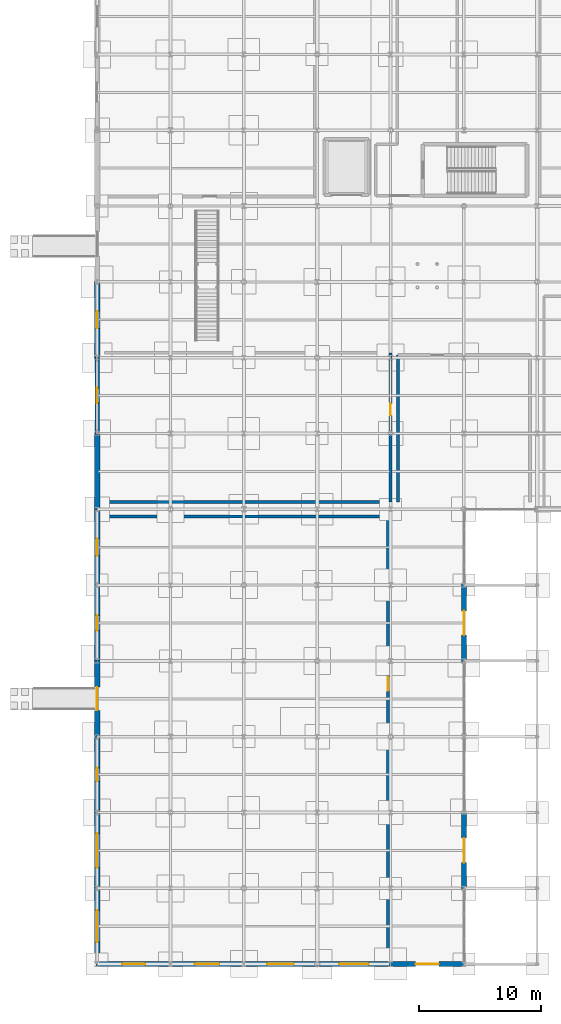
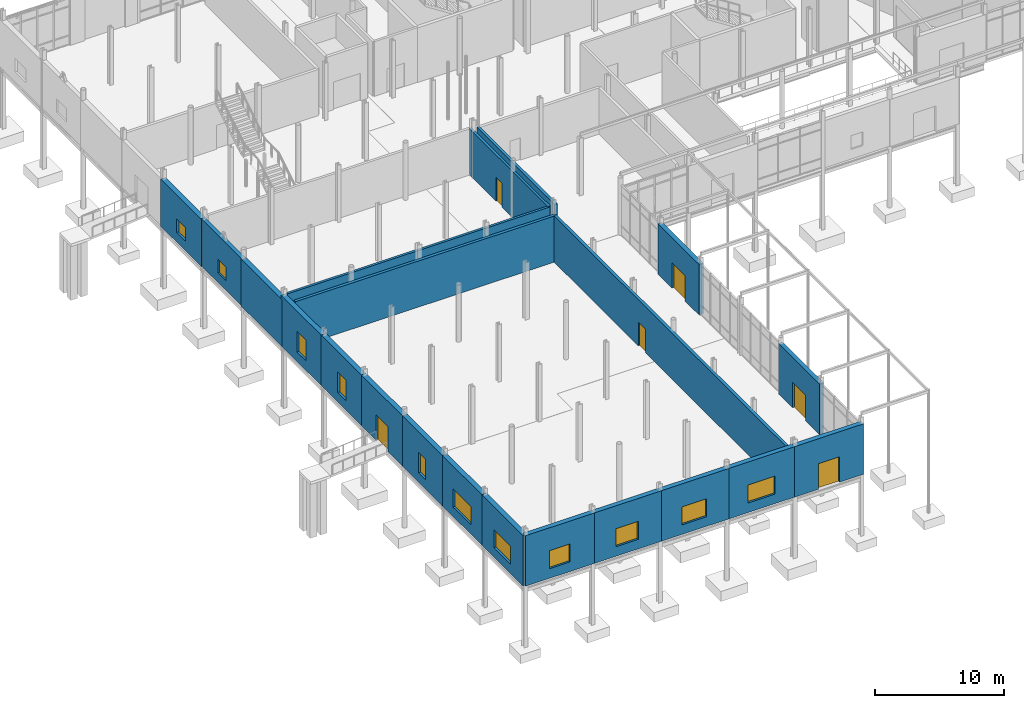
# One storey, part 67 of 98: 21 walls, 11 windows, 6 doors, 17 openings.
"""IFC4 building model written with IfcOpenShell, lengths in metres."""

from ifc_helpers import new_model, si_unit, direction, frame, frame_2d, origin, place, context, subcontext, project, spatial, rectangle, extrude, material, layer, layer_set, type_object, element, fill, save


model = new_model("IFC4")

# Units and contexts
model_context = context("Model", 3, precision=1e-05, world=origin(), true_north=direction((0.0, 1.0)))
body_context = subcontext(model_context, "Body", "Model", "MODEL_VIEW")
ifc_project = project(units=[si_unit("LENGTHUNIT", "METRE"), si_unit("AREAUNIT", "SQUARE_METRE"), si_unit("VOLUMEUNIT", "CUBIC_METRE"), si_unit("PLANEANGLEUNIT", "RADIAN"), si_unit("MASSUNIT", "GRAM", prefix="KILO")], contexts=[model_context])

# Site, building, storey
site_placement = place(None, origin())
site = spatial("IfcSite", under=ifc_project, at=site_placement, CompositionType="ELEMENT")
building_placement = place(site_placement, origin())
building = spatial("IfcBuilding", under=site, at=building_placement, Name="Mirzam Square Science Centre", CompositionType="ELEMENT")
storey_placement = place(building_placement, origin())
storey = spatial("IfcBuildingStorey", under=building, at=storey_placement, Name="L00", CompositionType="ELEMENT", Elevation=0.0)

# Wall, opening, door
ifc_material_1 = material(Name="Insulated Sand-Toned GFRC Concrete C40/50", Category="concrete")
ifc_layer_1 = layer(ifc_material_1, 0.385009765625)
ifc_layer_set_1 = layer_set([ifc_layer_1], Name="W-EXT-GFRC-385")
wall_type_1 = type_object("IfcWallType", Name="W-EXT-GFRC-385", PredefinedType="SOLIDWALL", material=ifc_layer_set_1)
wall_1_placement = place(storey_placement, frame((30.0, 6.125, 0.0), z_axis=(0.0, 0.0, 1.0), x_axis=(0.0, 1.0, 0.0)))
wall_1 = element("IfcWall", 1, at=wall_1_placement, inside=storey, type_object=wall_type_1, Name="L00 external wall EW-SW-E-L00-02", PredefinedType="SOLIDWALL", context=body_context, shape_type="SweptSolid", body=[
    extrude(rectangle(XDim=6.35009765625, YDim=0.385009765625, at=frame_2d((3.175048828125, 0.0))), origin(), (0.0, 0.0, 1.0), 4.760009765625),
])
opening_1_placement = place(wall_1_placement, frame((2.175048828125, 0.0, 0.0)))
opening_1 = element("IfcOpeningElement", 2, at=opening_1_placement, cuts=wall_1, Name="Opening ED-01", PredefinedType="OPENING", context=body_context, shape_type="SweptSolid", body=[
    extrude(rectangle(XDim=2.0, YDim=2.39990234375, at=frame_2d((1.0, 1.199951171875))), frame((0.0, 0.202392578125, 0.0), z_axis=(0.0, -1.0, 0.0), x_axis=(1.0, 0.0, 0.0)), (0.0, 0.0, 1.0), 0.405029296875),
])
ifc_material_2 = material(Name="Thermally Broken Bronze-Anodised Aluminium and Laminated Glass", Category="aluminium")
door_type_1 = type_object("IfcDoorType", Name="DR-EXT-2000x2400", OperationType="DOUBLE_DOOR_SINGLE_SWING", PredefinedType="DOOR", material=ifc_material_2)
door_1_placement = place(opening_1_placement, frame((2.0, 0.0, 0.0), z_axis=(0.0, 0.0, 1.0), x_axis=(-1.0, 0.0, 0.0)))
door_1 = element("IfcDoor", 3, at=door_1_placement, inside=storey, type_object=door_type_1, Name="ED-L00-009", OperationType="DOUBLE_DOOR_SINGLE_SWING", OverallHeight=2.39990234375, OverallWidth=2.0, PredefinedType="DOOR", context=body_context, shape_type="SweptSolid", body=[
    extrude(rectangle(XDim=2.0, YDim=2.39990234375, at=frame_2d((1.0, 1.199951171875))), frame((0.0, 0.02490234375, 0.0), z_axis=(0.0, -1.0, 0.0), x_axis=(1.0, 0.0, 0.0)), (0.0, 0.0, 1.0), 0.050048828125),
])
fill(opening_1, door_1)

wall_2_placement = place(storey_placement, frame((30.0, 24.72509765625, 0.0), z_axis=(0.0, 0.0, 1.0), x_axis=(0.0, 1.0, 0.0)))
wall_2 = element("IfcWall", 4, at=wall_2_placement, inside=storey, type_object=wall_type_1, Name="L00 external wall EW-SW-E-L00-05", PredefinedType="SOLIDWALL", context=body_context, shape_type="SweptSolid", body=[
    extrude(rectangle(XDim=6.349853515625, YDim=0.385009765625, at=frame_2d((3.1748046875, 0.0))), origin(), (0.0, 0.0, 1.0), 4.760009765625),
])
opening_2_placement = place(wall_2_placement, frame((2.175048828125, 0.0, 0.0)))
opening_2 = element("IfcOpeningElement", 5, at=opening_2_placement, cuts=wall_2, Name="Opening ED-01", PredefinedType="OPENING", context=body_context, shape_type="SweptSolid", body=[
    extrude(rectangle(XDim=2.0, YDim=2.39990234375, at=frame_2d((1.0, 1.199951171875))), frame((0.0, 0.202392578125, 0.0), z_axis=(0.0, -1.0, 0.0), x_axis=(1.0, 0.0, 0.0)), (0.0, 0.0, 1.0), 0.405029296875),
])
door_2_placement = place(opening_2_placement, frame((2.0, 0.0, 0.0), z_axis=(0.0, 0.0, 1.0), x_axis=(-1.0, 0.0, 0.0)))
door_2 = element("IfcDoor", 6, at=door_2_placement, inside=storey, type_object=door_type_1, Name="ED-L00-010", OperationType="DOUBLE_DOOR_SINGLE_SWING", OverallHeight=2.39990234375, OverallWidth=2.0, PredefinedType="DOOR", context=body_context, shape_type="SweptSolid", body=[
    extrude(rectangle(XDim=2.0, YDim=2.39990234375, at=frame_2d((1.0, 1.199951171875))), frame((0.0, 0.02490234375, 0.0), z_axis=(0.0, -1.0, 0.0), x_axis=(1.0, 0.0, 0.0)), (0.0, 0.0, 1.0), 0.050048828125),
])
fill(opening_2, door_2)

# Wall, opening, window
ifc_material_3 = material(Name="Honed Qatari Limestone Concrete C40/50", Category="masonry")
ifc_layer_2 = layer(ifc_material_3, 0.419921875)
ifc_layer_set_2 = layer_set([ifc_layer_2], Name="W-EXT-LIME-420")
wall_type_2 = type_object("IfcWallType", Name="W-EXT-LIME-420", PredefinedType="SOLIDWALL", material=ifc_layer_set_2)
wall_3_placement = place(storey_placement, frame((-0.074951171875, 0.0, 0.0), z_axis=(0.0, 0.0, 1.0), x_axis=(1.0, 0.0, 0.0)))
wall_3 = element("IfcWall", 7, at=wall_3_placement, inside=storey, type_object=wall_type_2, Name="L00 external wall EW-SW-S-L00-01", PredefinedType="SOLIDWALL", context=body_context, shape_type="SweptSolid", body=[
    extrude(rectangle(XDim=6.14990234375, YDim=0.419921875, at=frame_2d((3.074951171875, 0.0))), origin(), (0.0, 0.0, 1.0), 4.760009765625),
])
opening_3_placement = place(wall_3_placement, frame((2.14990234375, 0.0, 0.89990234375)))
opening_3 = element("IfcOpeningElement", 8, at=opening_3_placement, cuts=wall_3, Name="Opening W-28", PredefinedType="OPENING", context=body_context, shape_type="SweptSolid", body=[
    extrude(rectangle(XDim=1.85009765625, YDim=1.699951171875, at=frame_2d((0.925048828125, 0.85009765625))), frame((0.0, 0.219970703125, 0.0), z_axis=(0.0, -1.0, 0.0), x_axis=(1.0, 0.0, 0.0)), (0.0, 0.0, 1.0), 0.43994140625),
])
ifc_material_4 = material(Name="Thermally Broken Bronze Aluminium and Low-E Glass", Category="aluminium")
window_type_1 = type_object("IfcWindowType", Name="WIN-1850x1700", PartitioningType="DOUBLE_PANEL_VERTICAL", PredefinedType="WINDOW", material=ifc_material_4)
window_1_placement = place(opening_3_placement, origin())
window_1 = element("IfcWindow", 9, at=window_1_placement, inside=storey, type_object=window_type_1, Name="L00 solar window 028", OverallHeight=1.699951171875, OverallWidth=1.85009765625, PartitioningType="DOUBLE_PANEL_VERTICAL", PredefinedType="WINDOW", context=body_context, shape_type="SweptSolid", body=[
    extrude(rectangle(XDim=1.85009765625, YDim=1.699951171875, at=frame_2d((0.925048828125, 0.85009765625))), frame((0.0, 0.030029296875, 0.0), z_axis=(0.0, -1.0, 0.0), x_axis=(1.0, 0.0, 0.0)), (0.0, 0.0, 1.0), 0.06005859375),
])
fill(opening_3, window_1)

wall_4_placement = place(storey_placement, frame((5.925048828125, 0.0, 0.0), z_axis=(0.0, 0.0, 1.0), x_axis=(1.0, 0.0, 0.0)))
wall_4 = element("IfcWall", 10, at=wall_4_placement, inside=storey, type_object=wall_type_2, Name="L00 external wall EW-SW-S-L00-02", PredefinedType="SOLIDWALL", context=body_context, shape_type="SweptSolid", body=[
    extrude(rectangle(XDim=6.14990234375, YDim=0.419921875, at=frame_2d((3.074951171875, 0.0))), origin(), (0.0, 0.0, 1.0), 4.760009765625),
])
opening_4_placement = place(wall_4_placement, frame((2.074951171875, 0.0, 0.89990234375)))
opening_4 = element("IfcOpeningElement", 11, at=opening_4_placement, cuts=wall_4, Name="Opening W-29", PredefinedType="OPENING", context=body_context, shape_type="SweptSolid", body=[
    extrude(rectangle(XDim=2.0, YDim=1.699951171875, at=frame_2d((1.0, 0.85009765625))), frame((0.0, 0.219970703125, 0.0), z_axis=(0.0, -1.0, 0.0), x_axis=(1.0, 0.0, 0.0)), (0.0, 0.0, 1.0), 0.43994140625),
])
window_type_2 = type_object("IfcWindowType", Name="WIN-2000x1700", PartitioningType="DOUBLE_PANEL_VERTICAL", PredefinedType="WINDOW", material=ifc_material_4)
window_2_placement = place(opening_4_placement, origin())
window_2 = element("IfcWindow", 12, at=window_2_placement, inside=storey, type_object=window_type_2, Name="L00 solar window 029", OverallHeight=1.699951171875, OverallWidth=2.0, PartitioningType="DOUBLE_PANEL_VERTICAL", PredefinedType="WINDOW", context=body_context, shape_type="SweptSolid", body=[
    extrude(rectangle(XDim=2.0, YDim=1.699951171875, at=frame_2d((1.0, 0.85009765625))), frame((0.0, 0.030029296875, 0.0), z_axis=(0.0, -1.0, 0.0), x_axis=(1.0, 0.0, 0.0)), (0.0, 0.0, 1.0), 0.06005859375),
])
fill(opening_4, window_2)

wall_5_placement = place(storey_placement, frame((11.925048828125, 0.0, 0.0), z_axis=(0.0, 0.0, 1.0), x_axis=(1.0, 0.0, 0.0)))
wall_5 = element("IfcWall", 13, at=wall_5_placement, inside=storey, type_object=wall_type_2, Name="L00 external wall EW-SW-S-L00-03", PredefinedType="SOLIDWALL", context=body_context, shape_type="SweptSolid", body=[
    extrude(rectangle(XDim=6.14990234375, YDim=0.419921875, at=frame_2d((3.074951171875, 0.0))), origin(), (0.0, 0.0, 1.0), 4.760009765625),
])
opening_5_placement = place(wall_5_placement, frame((1.97509765625, 0.0, 0.89990234375)))
opening_5 = element("IfcOpeningElement", 14, at=opening_5_placement, cuts=wall_5, Name="Opening W-30", PredefinedType="OPENING", context=body_context, shape_type="SweptSolid", body=[
    extrude(rectangle(XDim=2.199951171875, YDim=1.699951171875, at=frame_2d((1.10009765625, 0.85009765625))), frame((0.0, 0.219970703125, 0.0), z_axis=(0.0, -1.0, 0.0), x_axis=(1.0, 0.0, 0.0)), (0.0, 0.0, 1.0), 0.43994140625),
])
window_type_3 = type_object("IfcWindowType", Name="WIN-2200x1700", PartitioningType="DOUBLE_PANEL_VERTICAL", PredefinedType="WINDOW", material=ifc_material_4)
window_3_placement = place(opening_5_placement, origin())
window_3 = element("IfcWindow", 15, at=window_3_placement, inside=storey, type_object=window_type_3, Name="L00 solar window 030", OverallHeight=1.699951171875, OverallWidth=2.199951171875, PartitioningType="DOUBLE_PANEL_VERTICAL", PredefinedType="WINDOW", context=body_context, shape_type="SweptSolid", body=[
    extrude(rectangle(XDim=2.199951171875, YDim=1.699951171875, at=frame_2d((1.10009765625, 0.85009765625))), frame((0.0, 0.030029296875, 0.0), z_axis=(0.0, -1.0, 0.0), x_axis=(1.0, 0.0, 0.0)), (0.0, 0.0, 1.0), 0.06005859375),
])
fill(opening_5, window_3)

wall_6_placement = place(storey_placement, frame((17.925048828125, 0.0, 0.0), z_axis=(0.0, 0.0, 1.0), x_axis=(1.0, 0.0, 0.0)))
wall_6 = element("IfcWall", 16, at=wall_6_placement, inside=storey, type_object=wall_type_2, Name="L00 external wall EW-SW-S-L00-04", PredefinedType="SOLIDWALL", context=body_context, shape_type="SweptSolid", body=[
    extrude(rectangle(XDim=6.14990234375, YDim=0.419921875, at=frame_2d((3.074951171875, 0.0))), origin(), (0.0, 0.0, 1.0), 4.760009765625),
])
opening_6_placement = place(wall_6_placement, frame((1.875, 0.0, 0.89990234375)))
opening_6 = element("IfcOpeningElement", 17, at=opening_6_placement, cuts=wall_6, Name="Opening W-31", PredefinedType="OPENING", context=body_context, shape_type="SweptSolid", body=[
    extrude(rectangle(XDim=2.39990234375, YDim=1.699951171875, at=frame_2d((1.199951171875, 0.85009765625))), frame((0.0, 0.219970703125, 0.0), z_axis=(0.0, -1.0, 0.0), x_axis=(1.0, 0.0, 0.0)), (0.0, 0.0, 1.0), 0.43994140625),
])
window_type_4 = type_object("IfcWindowType", Name="WIN-2400x1700", PartitioningType="DOUBLE_PANEL_VERTICAL", PredefinedType="WINDOW", material=ifc_material_4)
window_4_placement = place(opening_6_placement, origin())
window_4 = element("IfcWindow", 18, at=window_4_placement, inside=storey, type_object=window_type_4, Name="L00 solar window 031", OverallHeight=1.699951171875, OverallWidth=2.39990234375, PartitioningType="DOUBLE_PANEL_VERTICAL", PredefinedType="WINDOW", context=body_context, shape_type="SweptSolid", body=[
    extrude(rectangle(XDim=2.39990234375, YDim=1.699951171875, at=frame_2d((1.199951171875, 0.85009765625))), frame((0.0, 0.030029296875, 0.0), z_axis=(0.0, -1.0, 0.0), x_axis=(1.0, 0.0, 0.0)), (0.0, 0.0, 1.0), 0.06005859375),
])
fill(opening_6, window_4)

# Wall, opening, door
wall_7_placement = place(storey_placement, frame((23.925048828125, 0.0, 0.0), z_axis=(0.0, 0.0, 1.0), x_axis=(1.0, 0.0, 0.0)))
wall_7 = element("IfcWall", 19, at=wall_7_placement, inside=storey, type_object=wall_type_2, Name="L00 external wall EW-SW-S-L00-05", PredefinedType="SOLIDWALL", context=body_context, shape_type="SweptSolid", body=[
    extrude(rectangle(XDim=6.14990234375, YDim=0.419921875, at=frame_2d((3.074951171875, 0.0))), origin(), (0.0, 0.0, 1.0), 4.760009765625),
])
opening_7_placement = place(wall_7_placement, frame((2.125, 0.0, 0.0)))
opening_7 = element("IfcOpeningElement", 20, at=opening_7_placement, cuts=wall_7, Name="Opening ED-02", PredefinedType="OPENING", context=body_context, shape_type="SweptSolid", body=[
    extrude(rectangle(XDim=1.89990234375, YDim=2.39990234375, at=frame_2d((0.949951171875, 1.199951171875))), frame((0.0, 0.219970703125, 0.0), z_axis=(0.0, -1.0, 0.0), x_axis=(1.0, 0.0, 0.0)), (0.0, 0.0, 1.0), 0.43994140625),
])
door_type_2 = type_object("IfcDoorType", Name="DR-EXT-1900x2400", OperationType="DOUBLE_DOOR_SINGLE_SWING", PredefinedType="DOOR", material=ifc_material_2)
door_3_placement = place(opening_7_placement, frame((1.89990234375, 0.0, 0.0), z_axis=(0.0, 0.0, 1.0), x_axis=(-1.0, 0.0, 0.0)))
door_3 = element("IfcDoor", 21, at=door_3_placement, inside=storey, type_object=door_type_2, Name="ED-L00-007", OperationType="DOUBLE_DOOR_SINGLE_SWING", OverallHeight=2.39990234375, OverallWidth=1.89990234375, PredefinedType="DOOR", context=body_context, shape_type="SweptSolid", body=[
    extrude(rectangle(XDim=1.89990234375, YDim=2.39990234375, at=frame_2d((0.949951171875, 1.199951171875))), frame((0.0, 0.02490234375, 0.0), z_axis=(0.0, -1.0, 0.0), x_axis=(1.0, 0.0, 0.0)), (0.0, 0.0, 1.0), 0.050048828125),
])
fill(opening_7, door_3)

# Wall, opening, window
ifc_layer_3 = layer(ifc_material_3, 0.43505859375)
ifc_layer_set_3 = layer_set([ifc_layer_3], Name="W-EXT-LIME-435")
wall_type_3 = type_object("IfcWallType", Name="W-EXT-LIME-435", PredefinedType="SOLIDWALL", material=ifc_layer_set_3)
wall_8_placement = place(storey_placement, frame((0.0, 6.27490234375, 0.0), z_axis=(0.0, 0.0, 1.0), x_axis=(0.0, -1.0, 0.0)))
wall_8 = element("IfcWall", 22, at=wall_8_placement, inside=storey, type_object=wall_type_3, Name="L00 external wall EW-SW-W-L00-01", PredefinedType="SOLIDWALL", context=body_context, shape_type="SweptSolid", body=[
    extrude(rectangle(XDim=6.349853515625, YDim=0.43505859375, at=frame_2d((3.1748046875, 0.0))), origin(), (0.0, 0.0, 1.0), 4.760009765625),
])
opening_8_placement = place(wall_8_placement, frame((1.875, 0.0, 0.89990234375)))
opening_8 = element("IfcOpeningElement", 23, at=opening_8_placement, cuts=wall_8, Name="Opening W-32", PredefinedType="OPENING", context=body_context, shape_type="SweptSolid", body=[
    extrude(rectangle(XDim=2.60009765625, YDim=1.699951171875, at=frame_2d((1.300048828125, 0.85009765625))), frame((0.0, 0.2275390625, 0.0), z_axis=(0.0, -1.0, 0.0), x_axis=(1.0, 0.0, 0.0)), (0.0, 0.0, 1.0), 0.455078125),
])
window_type_5 = type_object("IfcWindowType", Name="WIN-2600x1700", PartitioningType="DOUBLE_PANEL_VERTICAL", PredefinedType="WINDOW", material=ifc_material_4)
window_5_placement = place(opening_8_placement, origin())
window_5 = element("IfcWindow", 24, at=window_5_placement, inside=storey, type_object=window_type_5, Name="L00 solar window 032", OverallHeight=1.699951171875, OverallWidth=2.60009765625, PartitioningType="DOUBLE_PANEL_VERTICAL", PredefinedType="WINDOW", context=body_context, shape_type="SweptSolid", body=[
    extrude(rectangle(XDim=2.60009765625, YDim=1.699951171875, at=frame_2d((1.300048828125, 0.85009765625))), frame((0.0, 0.030029296875, 0.0), z_axis=(0.0, -1.0, 0.0), x_axis=(1.0, 0.0, 0.0)), (0.0, 0.0, 1.0), 0.06005859375),
])
fill(opening_8, window_5)

wall_9_placement = place(storey_placement, frame((0.0, 12.47509765625, 0.0), z_axis=(0.0, 0.0, 1.0), x_axis=(0.0, -1.0, 0.0)))
wall_9 = element("IfcWall", 25, at=wall_9_placement, inside=storey, type_object=wall_type_3, Name="L00 external wall EW-SW-W-L00-02", PredefinedType="SOLIDWALL", context=body_context, shape_type="SweptSolid", body=[
    extrude(rectangle(XDim=6.35009765625, YDim=0.43505859375, at=frame_2d((3.175048828125, 0.0))), origin(), (0.0, 0.0, 1.0), 4.760009765625),
])
opening_9_placement = place(wall_9_placement, frame((1.77490234375, 0.0, 0.89990234375)))
opening_9 = element("IfcOpeningElement", 26, at=opening_9_placement, cuts=wall_9, Name="Opening W-33", PredefinedType="OPENING", context=body_context, shape_type="SweptSolid", body=[
    extrude(rectangle(XDim=2.800048828125, YDim=1.699951171875, at=frame_2d((1.39990234375, 0.85009765625))), frame((0.0, 0.2275390625, 0.0), z_axis=(0.0, -1.0, 0.0), x_axis=(1.0, 0.0, 0.0)), (0.0, 0.0, 1.0), 0.455078125),
])
window_type_6 = type_object("IfcWindowType", Name="WIN-2800x1700", PartitioningType="DOUBLE_PANEL_VERTICAL", PredefinedType="WINDOW", material=ifc_material_4)
window_6_placement = place(opening_9_placement, origin())
window_6 = element("IfcWindow", 27, at=window_6_placement, inside=storey, type_object=window_type_6, Name="L00 solar window 033", OverallHeight=1.699951171875, OverallWidth=2.800048828125, PartitioningType="DOUBLE_PANEL_VERTICAL", PredefinedType="WINDOW", context=body_context, shape_type="SweptSolid", body=[
    extrude(rectangle(XDim=2.800048828125, YDim=1.699951171875, at=frame_2d((1.39990234375, 0.85009765625))), frame((0.0, 0.030029296875, 0.0), z_axis=(0.0, -1.0, 0.0), x_axis=(1.0, 0.0, 0.0)), (0.0, 0.0, 1.0), 0.06005859375),
])
fill(opening_9, window_6)

wall_10_placement = place(storey_placement, frame((0.0, 18.675048828125, 0.0), z_axis=(0.0, 0.0, 1.0), x_axis=(0.0, -1.0, 0.0)))
wall_10 = element("IfcWall", 28, at=wall_10_placement, inside=storey, type_object=wall_type_3, Name="L00 external wall EW-SW-W-L00-03", PredefinedType="SOLIDWALL", context=body_context, shape_type="SweptSolid", body=[
    extrude(rectangle(XDim=6.35009765625, YDim=0.43505859375, at=frame_2d((3.175048828125, 0.0))), origin(), (0.0, 0.0, 1.0), 4.760009765625),
])
opening_10_placement = place(wall_10_placement, frame((2.625, 0.0, 0.89990234375)))
opening_10 = element("IfcOpeningElement", 29, at=opening_10_placement, cuts=wall_10, Name="Opening W-34", PredefinedType="OPENING", context=body_context, shape_type="SweptSolid", body=[
    extrude(rectangle(XDim=1.10009765625, YDim=1.949951171875, at=frame_2d((0.550048828125, 0.97509765625))), frame((0.0, 0.2275390625, 0.0), z_axis=(0.0, -1.0, 0.0), x_axis=(1.0, 0.0, 0.0)), (0.0, 0.0, 1.0), 0.455078125),
])
window_type_7 = type_object("IfcWindowType", Name="WIN-1100x1950", PartitioningType="SINGLE_PANEL", PredefinedType="WINDOW", material=ifc_material_4)
window_7_placement = place(opening_10_placement, origin())
window_7 = element("IfcWindow", 30, at=window_7_placement, inside=storey, type_object=window_type_7, Name="L00 solar window 034", OverallHeight=1.949951171875, OverallWidth=1.10009765625, PartitioningType="SINGLE_PANEL", PredefinedType="WINDOW", context=body_context, shape_type="SweptSolid", body=[
    extrude(rectangle(XDim=1.10009765625, YDim=1.949951171875, at=frame_2d((0.550048828125, 0.97509765625))), frame((0.0, 0.030029296875, 0.0), z_axis=(0.0, -1.0, 0.0), x_axis=(1.0, 0.0, 0.0)), (0.0, 0.0, 1.0), 0.06005859375),
])
fill(opening_10, window_7)

# Wall, opening, door
wall_11_placement = place(storey_placement, frame((0.0, 24.875, 0.0), z_axis=(0.0, 0.0, 1.0), x_axis=(0.0, -1.0, 0.0)))
wall_11 = element("IfcWall", 31, at=wall_11_placement, inside=storey, type_object=wall_type_3, Name="L00 external wall EW-SW-W-L00-04", PredefinedType="SOLIDWALL", context=body_context, shape_type="SweptSolid", body=[
    extrude(rectangle(XDim=6.35009765625, YDim=0.43505859375, at=frame_2d((3.175048828125, 0.0))), origin(), (0.0, 0.0, 1.0), 4.760009765625),
])
opening_11_placement = place(wall_11_placement, frame((2.22509765625, 0.0, 0.0)))
opening_11 = element("IfcOpeningElement", 32, at=opening_11_placement, cuts=wall_11, Name="Opening ED-02", PredefinedType="OPENING", context=body_context, shape_type="SweptSolid", body=[
    extrude(rectangle(XDim=1.89990234375, YDim=2.39990234375, at=frame_2d((0.949951171875, 1.199951171875))), frame((0.0, 0.2275390625, 0.0), z_axis=(0.0, -1.0, 0.0), x_axis=(1.0, 0.0, 0.0)), (0.0, 0.0, 1.0), 0.455078125),
])
door_4_placement = place(opening_11_placement, frame((1.89990234375, 0.0, 0.0), z_axis=(0.0, 0.0, 1.0), x_axis=(-1.0, 0.0, 0.0)))
door_4 = element("IfcDoor", 33, at=door_4_placement, inside=storey, type_object=door_type_2, Name="ED-L00-008", OperationType="DOUBLE_DOOR_SINGLE_SWING", OverallHeight=2.39990234375, OverallWidth=1.89990234375, PredefinedType="DOOR", context=body_context, shape_type="SweptSolid", body=[
    extrude(rectangle(XDim=1.89990234375, YDim=2.39990234375, at=frame_2d((0.949951171875, 1.199951171875))), frame((0.0, 0.02490234375, 0.0), z_axis=(0.0, -1.0, 0.0), x_axis=(1.0, 0.0, 0.0)), (0.0, 0.0, 1.0), 0.050048828125),
])
fill(opening_11, door_4)

# Wall, opening, window
wall_12_placement = place(storey_placement, frame((0.0, 31.074951171875, 0.0), z_axis=(0.0, 0.0, 1.0), x_axis=(0.0, -1.0, 0.0)))
wall_12 = element("IfcWall", 34, at=wall_12_placement, inside=storey, type_object=wall_type_3, Name="L00 external wall EW-SW-W-L00-05", PredefinedType="SOLIDWALL", context=body_context, shape_type="SweptSolid", body=[
    extrude(rectangle(XDim=6.349853515625, YDim=0.43505859375, at=frame_2d((3.1748046875, 0.0))), origin(), (0.0, 0.0, 1.0), 4.760009765625),
])
opening_12_placement = place(wall_12_placement, frame((2.550048828125, 0.0, 0.89990234375)))
opening_12 = element("IfcOpeningElement", 35, at=opening_12_placement, cuts=wall_12, Name="Opening W-35", PredefinedType="OPENING", context=body_context, shape_type="SweptSolid", body=[
    extrude(rectangle(XDim=1.25, YDim=1.949951171875, at=frame_2d((0.625, 0.97509765625))), frame((0.0, 0.2275390625, 0.0), z_axis=(0.0, -1.0, 0.0), x_axis=(1.0, 0.0, 0.0)), (0.0, 0.0, 1.0), 0.455078125),
])
window_type_8 = type_object("IfcWindowType", Name="WIN-1250x1950", PartitioningType="SINGLE_PANEL", PredefinedType="WINDOW", material=ifc_material_4)
window_8_placement = place(opening_12_placement, origin())
window_8 = element("IfcWindow", 36, at=window_8_placement, inside=storey, type_object=window_type_8, Name="L00 solar window 035", OverallHeight=1.949951171875, OverallWidth=1.25, PartitioningType="SINGLE_PANEL", PredefinedType="WINDOW", context=body_context, shape_type="SweptSolid", body=[
    extrude(rectangle(XDim=1.25, YDim=1.949951171875, at=frame_2d((0.625, 0.97509765625))), frame((0.0, 0.030029296875, 0.0), z_axis=(0.0, -1.0, 0.0), x_axis=(1.0, 0.0, 0.0)), (0.0, 0.0, 1.0), 0.06005859375),
])
fill(opening_12, window_8)

wall_13_placement = place(storey_placement, frame((0.0, 37.27490234375, 0.0), z_axis=(0.0, 0.0, 1.0), x_axis=(0.0, -1.0, 0.0)))
wall_13 = element("IfcWall", 37, at=wall_13_placement, inside=storey, type_object=wall_type_3, Name="L00 external wall EW-SW-W-L00-06", PredefinedType="SOLIDWALL", context=body_context, shape_type="SweptSolid", body=[
    extrude(rectangle(XDim=6.349853515625, YDim=0.43505859375, at=frame_2d((3.1748046875, 0.0))), origin(), (0.0, 0.0, 1.0), 4.760009765625),
])
opening_13_placement = place(wall_13_placement, frame((2.47509765625, 0.0, 0.89990234375)))
opening_13 = element("IfcOpeningElement", 38, at=opening_13_placement, cuts=wall_13, Name="Opening W-36", PredefinedType="OPENING", context=body_context, shape_type="SweptSolid", body=[
    extrude(rectangle(XDim=1.39990234375, YDim=1.949951171875, at=frame_2d((0.699951171875, 0.97509765625))), frame((0.0, 0.2275390625, 0.0), z_axis=(0.0, -1.0, 0.0), x_axis=(1.0, 0.0, 0.0)), (0.0, 0.0, 1.0), 0.455078125),
])
window_type_9 = type_object("IfcWindowType", Name="WIN-1400x1950", PartitioningType="SINGLE_PANEL", PredefinedType="WINDOW", material=ifc_material_4)
window_9_placement = place(opening_13_placement, origin())
window_9 = element("IfcWindow", 39, at=window_9_placement, inside=storey, type_object=window_type_9, Name="L00 solar window 036", OverallHeight=1.949951171875, OverallWidth=1.39990234375, PartitioningType="SINGLE_PANEL", PredefinedType="WINDOW", context=body_context, shape_type="SweptSolid", body=[
    extrude(rectangle(XDim=1.39990234375, YDim=1.949951171875, at=frame_2d((0.699951171875, 0.97509765625))), frame((0.0, 0.030029296875, 0.0), z_axis=(0.0, -1.0, 0.0), x_axis=(1.0, 0.0, 0.0)), (0.0, 0.0, 1.0), 0.06005859375),
])
fill(opening_13, window_9)

# Wall
ifc_layer_4 = layer(ifc_material_3, 0.449951171875)
ifc_layer_set_4 = layer_set([ifc_layer_4], Name="W-EXT-LIME-450")
wall_type_4 = type_object("IfcWallType", Name="W-EXT-LIME-450", PredefinedType="SOLIDWALL", material=ifc_layer_set_4)
wall_14_placement = place(storey_placement, frame((0.0, 43.47509765625, 0.0), z_axis=(0.0, 0.0, 1.0), x_axis=(0.0, -1.0, 0.0)))
element("IfcWall", 40, at=wall_14_placement, inside=storey, type_object=wall_type_4, Name="L00 external wall EW-WDG-W-L00-07", PredefinedType="SOLIDWALL", context=body_context, shape_type="SweptSolid", body=[
    extrude(rectangle(XDim=6.35009765625, YDim=0.449951171875, at=frame_2d((3.175048828125, 0.0))), origin(), (0.0, 0.0, 1.0), 4.43994140625),
])

# Wall, opening, window
wall_15_placement = place(storey_placement, frame((0.0, 55.875, 0.0), z_axis=(0.0, 0.0, 1.0), x_axis=(0.0, -1.0, 0.0)))
wall_15 = element("IfcWall", 41, at=wall_15_placement, inside=storey, type_object=wall_type_4, Name="L00 external wall EW-WDG-W-L00-09", PredefinedType="SOLIDWALL", context=body_context, shape_type="SweptSolid", body=[
    extrude(rectangle(XDim=6.35009765625, YDim=0.449951171875, at=frame_2d((3.175048828125, 0.0))), origin(), (0.0, 0.0, 1.0), 4.43994140625),
])
opening_14_placement = place(wall_15_placement, frame((2.47509765625, 0.0, 0.89990234375)))
opening_14 = element("IfcOpeningElement", 42, at=opening_14_placement, cuts=wall_15, Name="Opening W-03", PredefinedType="OPENING", context=body_context, shape_type="SweptSolid", body=[
    extrude(rectangle(XDim=1.39990234375, YDim=1.300048828125, at=frame_2d((0.699951171875, 0.64990234375))), frame((0.0, 0.23486328125, 0.0), z_axis=(0.0, -1.0, 0.0), x_axis=(1.0, 0.0, 0.0)), (0.0, 0.0, 1.0), 0.469970703125),
])
window_type_10 = type_object("IfcWindowType", Name="WIN-1400x1300", PartitioningType="SINGLE_PANEL", PredefinedType="WINDOW", material=ifc_material_4)
window_10_placement = place(opening_14_placement, origin())
window_10 = element("IfcWindow", 43, at=window_10_placement, inside=storey, type_object=window_type_10, Name="L00 solar window 003", OverallHeight=1.300048828125, OverallWidth=1.39990234375, PartitioningType="SINGLE_PANEL", PredefinedType="WINDOW", context=body_context, shape_type="SweptSolid", body=[
    extrude(rectangle(XDim=1.39990234375, YDim=1.300048828125, at=frame_2d((0.699951171875, 0.64990234375))), frame((0.0, 0.030029296875, 0.0), z_axis=(0.0, -1.0, 0.0), x_axis=(1.0, 0.0, 0.0)), (0.0, 0.0, 1.0), 0.06005859375),
])
fill(opening_14, window_10)

ifc_material_5 = material(Name="Standing-Seam Zinc-Clad Concrete Backup C40/50", Category="concrete")
ifc_layer_5 = layer(ifc_material_5, 0.35009765625)
ifc_layer_set_5 = layer_set([ifc_layer_5], Name="W-EXT-METAL-350")
wall_type_5 = type_object("IfcWallType", Name="W-EXT-METAL-350", PredefinedType="SOLIDWALL", material=ifc_layer_set_5)
wall_16_placement = place(storey_placement, frame((0.0, 49.675048828125, 0.0), z_axis=(0.0, 0.0, 1.0), x_axis=(0.0, -1.0, 0.0)))
wall_16 = element("IfcWall", 44, at=wall_16_placement, inside=storey, type_object=wall_type_5, Name="L00 external wall EW-WDG-W-L00-08", PredefinedType="SOLIDWALL", context=body_context, shape_type="SweptSolid", body=[
    extrude(rectangle(XDim=6.35009765625, YDim=0.35009765625, at=frame_2d((3.175048828125, 0.0))), origin(), (0.0, 0.0, 1.0), 4.43994140625),
])
opening_15_placement = place(wall_16_placement, frame((2.550048828125, 0.0, 0.89990234375)))
opening_15 = element("IfcOpeningElement", 45, at=opening_15_placement, cuts=wall_16, Name="Opening W-02", PredefinedType="OPENING", context=body_context, shape_type="SweptSolid", body=[
    extrude(rectangle(XDim=1.25, YDim=1.300048828125, at=frame_2d((0.625, 0.64990234375))), frame((0.0, 0.18505859375, 0.0), z_axis=(0.0, -1.0, 0.0), x_axis=(1.0, 0.0, 0.0)), (0.0, 0.0, 1.0), 0.3701171875),
])
window_type_11 = type_object("IfcWindowType", Name="WIN-1250x1300", PartitioningType="SINGLE_PANEL", PredefinedType="WINDOW", material=ifc_material_4)
window_11_placement = place(opening_15_placement, origin())
window_11 = element("IfcWindow", 46, at=window_11_placement, inside=storey, type_object=window_type_11, Name="L00 solar window 002", OverallHeight=1.300048828125, OverallWidth=1.25, PartitioningType="SINGLE_PANEL", PredefinedType="WINDOW", context=body_context, shape_type="SweptSolid", body=[
    extrude(rectangle(XDim=1.25, YDim=1.300048828125, at=frame_2d((0.625, 0.64990234375))), frame((0.0, 0.030029296875, 0.0), z_axis=(0.0, -1.0, 0.0), x_axis=(1.0, 0.0, 0.0)), (0.0, 0.0, 1.0), 0.06005859375),
])
fill(opening_15, window_11)

# Wall, opening, door
ifc_material_6 = material(Name="Chemical Prep Fire Partition Concrete C30/37", Category="concrete")
ifc_layer_6 = layer(ifc_material_6, 0.215087890625)
ifc_layer_set_6 = layer_set([ifc_layer_6], Name="W-PART-215")
wall_type_6 = type_object("IfcWallType", Name="W-PART-215", PredefinedType="PARTITIONING", material=ifc_layer_set_6)
wall_17_placement = place(storey_placement, frame((24.0, 50.0, 0.0), z_axis=(0.0, 0.0, 1.0), x_axis=(0.0, -1.0, 0.0)))
wall_17 = element("IfcWall", 47, at=wall_17_placement, inside=storey, type_object=wall_type_6, Name="L00 Physical Sciences Exhibition Hall 1 partition 54", PredefinedType="PARTITIONING", context=body_context, shape_type="SweptSolid", body=[
    extrude(rectangle(XDim=12.199951171875, YDim=0.215087890625, at=frame_2d((6.10009765625, 0.0))), origin(), (0.0, 0.0, 1.0), 4.35009765625),
])
opening_16_placement = place(wall_17_placement, frame((4.160888671875, 0.0, 0.0)))
opening_16 = element("IfcOpeningElement", 48, at=opening_16_placement, cuts=wall_17, Name="Opening D-14", PredefinedType="OPENING", context=body_context, shape_type="SweptSolid", body=[
    extrude(rectangle(XDim=0.949951171875, YDim=2.25, at=frame_2d((0.47509765625, 1.125))), frame((0.0, 0.117431640625, 0.0), z_axis=(0.0, -1.0, 0.0), x_axis=(1.0, 0.0, 0.0)), (0.0, 0.0, 1.0), 0.235107421875),
])
ifc_material_7 = material(Name="Solid Core Acoustic Oak Timber Door", Category="wood")
door_type_3 = type_object("IfcDoorType", Name="DR-INT-950x2250", OperationType="NOTDEFINED", PredefinedType="DOOR", material=ifc_material_7)
door_5_placement = place(opening_16_placement, origin())
door_5 = element("IfcDoor", 49, at=door_5_placement, inside=storey, type_object=door_type_3, Name="ID-L00-0013", OperationType="SINGLE_SWING_RIGHT", OverallHeight=2.25, OverallWidth=0.949951171875, PredefinedType="DOOR", context=body_context, shape_type="SweptSolid", body=[
    extrude(rectangle(XDim=0.949951171875, YDim=2.25, at=frame_2d((0.47509765625, 1.125))), frame((0.0, 0.02490234375, 0.0), z_axis=(0.0, -1.0, 0.0), x_axis=(1.0, 0.0, 0.0)), (0.0, 0.0, 1.0), 0.050048828125),
])
fill(opening_16, door_5)

# Walls
wall_18_placement = place(storey_placement, frame((24.0, 37.800048828125, 0.0), z_axis=(0.0, 0.0, 1.0), x_axis=(-1.0, 0.0, 0.0)))
element("IfcWall", 50, at=wall_18_placement, inside=storey, type_object=wall_type_6, Name="L00 Physical Sciences Exhibition Hall 1 partition 55", PredefinedType="PARTITIONING", context=body_context, shape_type="SweptSolid", body=[
    extrude(rectangle(XDim=23.39990234375, YDim=0.215087890625, at=frame_2d((11.699951171875, 0.0))), origin(), (0.0, 0.0, 1.0), 4.35009765625),
])
ifc_material_8 = material(Name="Plant Acoustic Barrier Wall Concrete C35/45", Category="concrete")
ifc_layer_7 = layer(ifc_material_8, 0.2451171875)
ifc_layer_set_7 = layer_set([ifc_layer_7], Name="W-PART-245")
wall_type_7 = type_object("IfcWallType", Name="W-PART-245", PredefinedType="PARTITIONING", material=ifc_layer_set_7)
wall_19_placement = place(storey_placement, frame((24.60009765625, 37.800048828125, 0.0), z_axis=(0.0, 0.0, 1.0), x_axis=(0.0, 1.0, 0.0)))
element("IfcWall", 51, at=wall_19_placement, inside=storey, type_object=wall_type_7, Name="L00 Earth Sciences Specimen Preparation Laboratory partition 97", PredefinedType="PARTITIONING", context=body_context, shape_type="SweptSolid", body=[
    extrude(rectangle(XDim=12.0, YDim=0.2451171875, at=frame_2d((6.0, 0.0))), origin(), (0.0, 0.0, 1.0), 4.35009765625),
])
ifc_material_9 = material(Name="Theatre Acoustic Isolation Wall Concrete C35/45", Category="concrete")
ifc_layer_8 = layer(ifc_material_9, 0.260009765625)
ifc_layer_set_8 = layer_set([ifc_layer_8], Name="W-PART-260")
wall_type_8 = type_object("IfcWallType", Name="W-PART-260", PredefinedType="PARTITIONING", material=ifc_layer_set_8)
wall_20_placement = place(storey_placement, frame((0.60009765625, 36.60009765625, 0.0), z_axis=(0.0, 0.0, 1.0), x_axis=(1.0, 0.0, 0.0)))
element("IfcWall", 52, at=wall_20_placement, inside=storey, type_object=wall_type_8, Name="L00 Natural History Discovery Exhibition Hall partition 61", PredefinedType="PARTITIONING", context=body_context, shape_type="SweptSolid", body=[
    extrude(rectangle(XDim=23.199951171875, YDim=0.260009765625, at=frame_2d((11.60009765625, 0.0))), origin(), (0.0, 0.0, 1.0), 4.35009765625),
])

# Wall, opening, door
wall_21_placement = place(storey_placement, frame((23.800048828125, 36.60009765625, 0.0), z_axis=(0.0, 0.0, 1.0), x_axis=(0.0, -1.0, 0.0)))
wall_21 = element("IfcWall", 53, at=wall_21_placement, inside=storey, type_object=wall_type_8, Name="L00 Natural History Discovery Exhibition Hall partition 62", PredefinedType="PARTITIONING", context=body_context, shape_type="SweptSolid", body=[
    extrude(rectangle(XDim=36.0, YDim=0.260009765625, at=frame_2d((18.0, 0.0))), origin(), (0.0, 0.0, 1.0), 4.35009765625),
])
opening_17_placement = place(wall_21_placement, frame((13.1298828125, 0.0, 0.0)))
opening_17 = element("IfcOpeningElement", 54, at=opening_17_placement, cuts=wall_21, Name="Opening D-17", PredefinedType="OPENING", context=body_context, shape_type="SweptSolid", body=[
    extrude(rectangle(XDim=1.10009765625, YDim=2.25, at=frame_2d((0.550048828125, 1.125))), frame((0.0, 0.139892578125, 0.0), z_axis=(0.0, -1.0, 0.0), x_axis=(1.0, 0.0, 0.0)), (0.0, 0.0, 1.0), 0.280029296875),
])
door_type_4 = type_object("IfcDoorType", Name="DR-INT-1100x2250", OperationType="NOTDEFINED", PredefinedType="DOOR", material=ifc_material_7)
door_6_placement = place(opening_17_placement, origin())
door_6 = element("IfcDoor", 55, at=door_6_placement, inside=storey, type_object=door_type_4, Name="ID-L00-0016", OperationType="SINGLE_SWING_LEFT", OverallHeight=2.25, OverallWidth=1.10009765625, PredefinedType="DOOR", context=body_context, shape_type="SweptSolid", body=[
    extrude(rectangle(XDim=1.10009765625, YDim=2.25, at=frame_2d((0.550048828125, 1.125))), frame((0.0, 0.02490234375, 0.0), z_axis=(0.0, -1.0, 0.0), x_axis=(1.0, 0.0, 0.0)), (0.0, 0.0, 1.0), 0.050048828125),
])
fill(opening_17, door_6)

save(model, "model.ifc")
